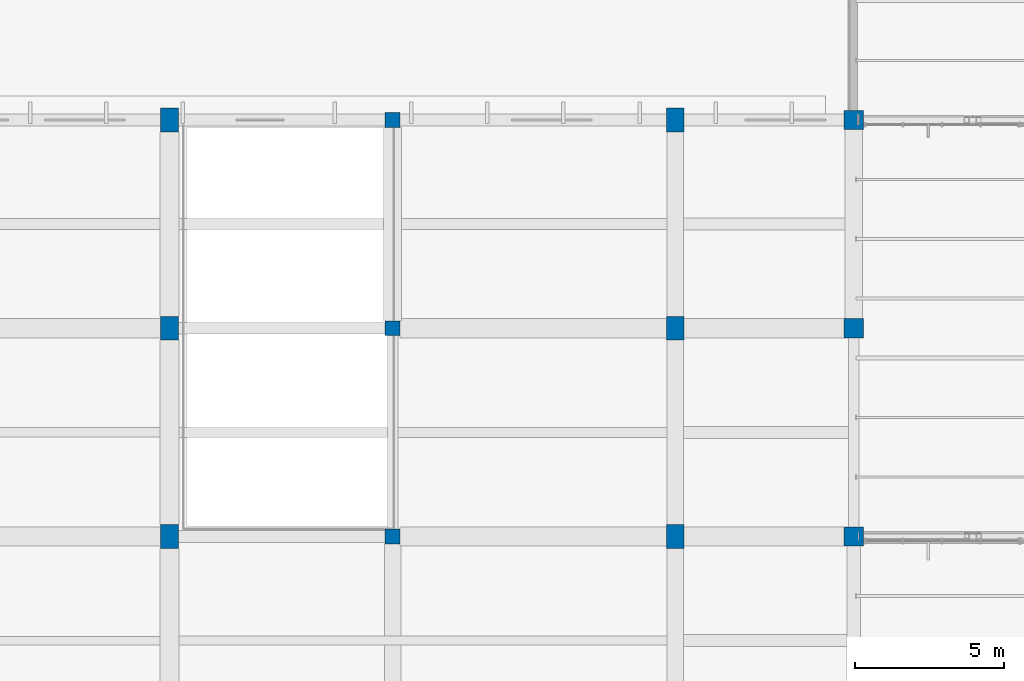
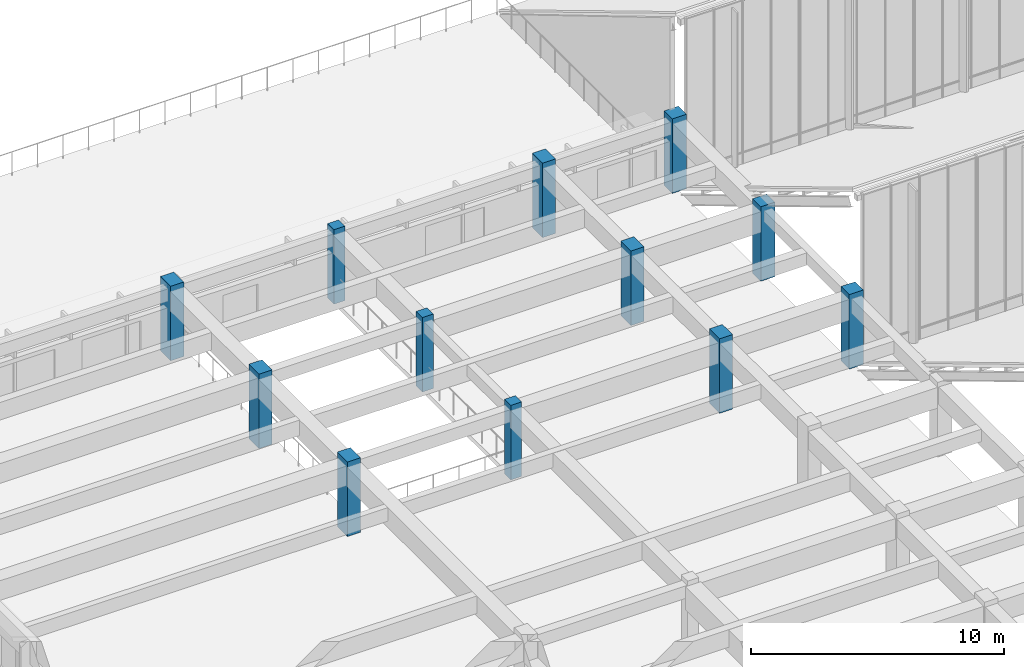
# One storey, part 8 of 155: 12 columns.
"""IFC4 building model written with IfcOpenShell, lengths in metres."""

from ifc_helpers import new_model, si_unit, direction, frame, origin, origin_2d, place, context, subcontext, project, spatial, rectangle, extrude, material, material_profile, profile_set, type_object, element, save


model = new_model("IFC4")

# Units and contexts
model_context = context("Model", 3, precision=1e-05, world=origin(), true_north=direction((0.0, 1.0)))
body_context = subcontext(model_context, "Body", "Model", "MODEL_VIEW")
ifc_project = project(units=[si_unit("LENGTHUNIT", "METRE"), si_unit("AREAUNIT", "SQUARE_METRE"), si_unit("VOLUMEUNIT", "CUBIC_METRE"), si_unit("PLANEANGLEUNIT", "RADIAN"), si_unit("MASSUNIT", "GRAM", prefix="KILO")], contexts=[model_context])

# Site, building, storey
site_placement = place(None, origin())
site = spatial("IfcSite", under=ifc_project, at=site_placement, CompositionType="ELEMENT")
building_placement = place(site_placement, origin())
building = spatial("IfcBuilding", under=site, at=building_placement, Name="Larkveld Mobility Hub", CompositionType="ELEMENT")
storey_placement = place(building_placement, frame((0.0, 0.0, 8.39990234375)))
storey = spatial("IfcBuildingStorey", under=building, at=storey_placement, Name="L02", CompositionType="ELEMENT", Elevation=8.39990234375)

# Columns
ifc_material_1 = material(Name="Precast concrete C50/60", Category="concrete")
ifc_material_profile_1 = material_profile(ifc_material_1, rectangle(XDim=0.60009765625, YDim=0.800048828125, at=origin_2d()), Name="RC COL 600x800")
ifc_profile_set_1 = profile_set([ifc_material_profile_1], Name="Precast concrete C50/60")
column_type_1 = type_object("IfcColumnType", Name="CL-PC6080", PredefinedType="COLUMN", material=ifc_profile_set_1)
for number, where, z_axis, x_axis, name in (
    (1, (129.0, 98.0, 0.0), (0.0, 0.0, 1.0), (1.0, 0.0, 0.0), "Column EV-X129-Y98 (L02)"),
    (2, (129.0, 105.0, 0.0), (0.0, 0.0, 1.0), (1.0, 0.0, 0.0), "Column EV-X129-Y105 (L02)"),
    (3, (129.0, 112.0, 0.0), (0.0, 0.0, 1.0), (1.0, 0.0, 0.0), "Column EV-X129-Y112 (L02)"),
    (4, (146.0, 98.0, 0.0), (0.0, 0.0, 1.0), (1.0, 0.0, 0.0), "Column EV-X146-Y98 (L02)"),
    (5, (146.0, 105.0, 0.0), (0.0, 0.0, 1.0), (1.0, 0.0, 0.0), "Column EV-X146-Y105 (L02)"),
    (6, (146.0, 112.0, 0.0), (0.0, 0.0, 1.0), (1.0, 0.0, 0.0), "Column EV-X146-Y112 (L02)"),
):
    element("IfcColumn", number, at=place(storey_placement, frame(where, z_axis=z_axis, x_axis=x_axis)), inside=storey, type_object=column_type_1, Name=name, PredefinedType="COLUMN", context=body_context, shape_type="SweptSolid", body=[
        extrude(rectangle(XDim=0.60009765625, YDim=0.800048828125, at=origin_2d()), origin(), (0.0, 0.0, 1.0), 3.60009765625),
    ])
ifc_material_2 = material(Name="Concrete C40/50", Category="concrete")
ifc_material_profile_2 = material_profile(ifc_material_2, rectangle(XDim=0.5, YDim=0.5, at=origin_2d()), Name="RC COL 500x500")
ifc_profile_set_2 = profile_set([ifc_material_profile_2], Name="Concrete C40/50")
column_type_2 = type_object("IfcColumnType", Name="CL-RC500", PredefinedType="COLUMN", material=ifc_profile_set_2)
for number, where, z_axis, x_axis, name in (
    (7, (136.5, 98.0, 0.0), (0.0, 0.0, 1.0), (1.0, 0.0, 0.0), "Column EVRMP-X1365-Y98 (L02)"),
    (8, (136.5, 105.0, 0.0), (0.0, 0.0, 1.0), (1.0, 0.0, 0.0), "Column EVRMP-X1365-Y105 (L02)"),
    (9, (136.5, 112.0, 0.0), (0.0, 0.0, 1.0), (1.0, 0.0, 0.0), "Column EVRMP-X1365-Y112 (L02)"),
):
    element("IfcColumn", number, at=place(storey_placement, frame(where, z_axis=z_axis, x_axis=x_axis)), inside=storey, type_object=column_type_2, Name=name, PredefinedType="COLUMN", context=body_context, shape_type="SweptSolid", body=[
        extrude(rectangle(XDim=0.5, YDim=0.5, at=origin_2d()), origin(), (0.0, 0.0, 1.0), 3.60009765625),
    ])
ifc_material_profile_3 = material_profile(ifc_material_2, rectangle(XDim=0.64990234375, YDim=0.64990234375, at=origin_2d()), Name="RC COL 650x650")
ifc_profile_set_3 = profile_set([ifc_material_profile_3], Name="Concrete C40/50")
column_type_3 = type_object("IfcColumnType", Name="CL-RC650", PredefinedType="COLUMN", material=ifc_profile_set_3)
for number, where, z_axis, x_axis, name in (
    (10, (152.0, 98.0, 0.0), (0.0, 0.0, 1.0), (1.0, 0.0, 0.0), "Column EV-X152-Y98 (L02)"),
    (11, (152.0, 105.0, 0.0), (0.0, 0.0, 1.0), (1.0, 0.0, 0.0), "Column EV-X152-Y105 (L02)"),
    (12, (152.0, 112.0, 0.0), (0.0, 0.0, 1.0), (1.0, 0.0, 0.0), "Column EV-X152-Y112 (L02)"),
):
    element("IfcColumn", number, at=place(storey_placement, frame(where, z_axis=z_axis, x_axis=x_axis)), inside=storey, type_object=column_type_3, Name=name, PredefinedType="COLUMN", context=body_context, shape_type="SweptSolid", body=[
        extrude(rectangle(XDim=0.64990234375, YDim=0.64990234375, at=origin_2d()), origin(), (0.0, 0.0, 1.0), 3.60009765625),
    ])

save(model, "model.ifc")
